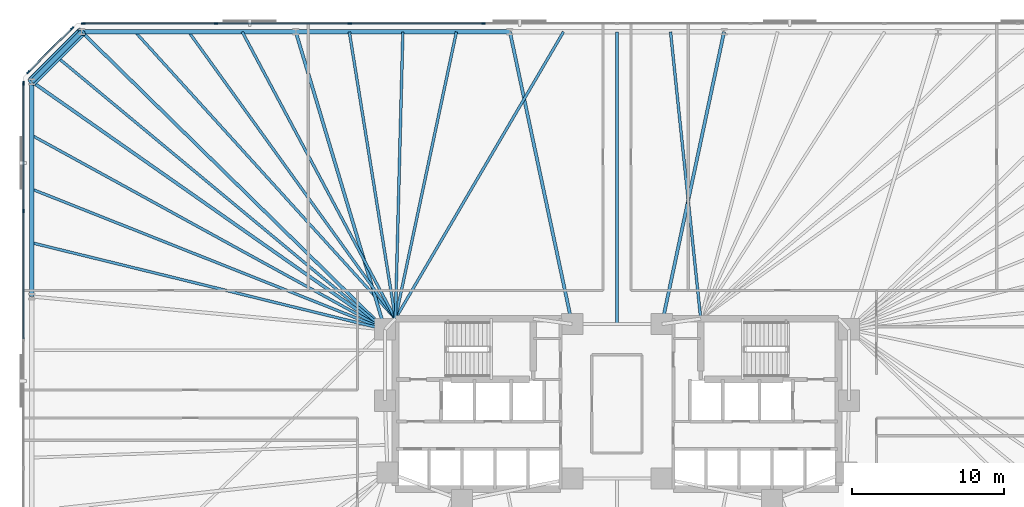
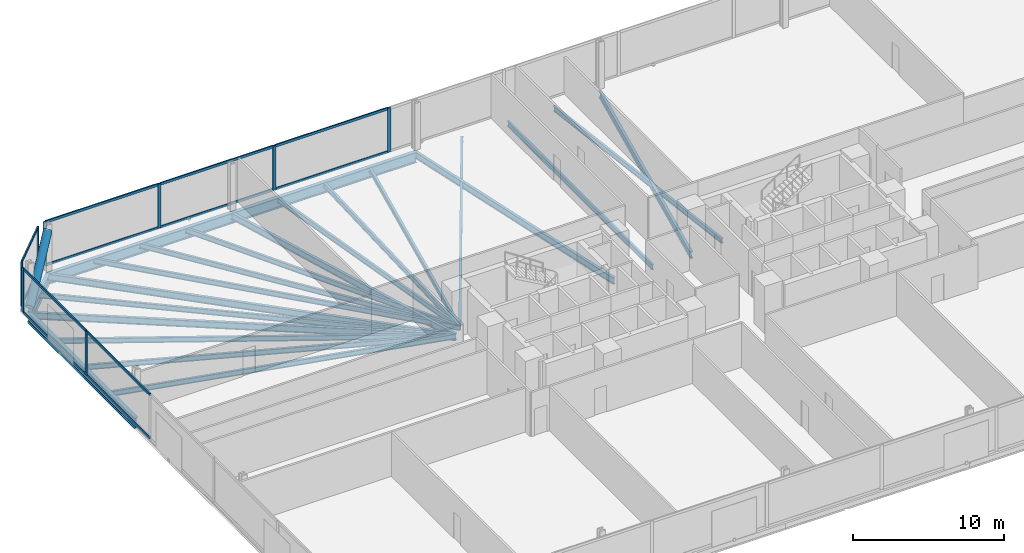
# One storey, part 8 of 17: 22 beams, 21 members, 3 elements without a shape of their own.
"""IFC4 building model written with IfcOpenShell, lengths in metres."""

from ifc_helpers import new_model, si_unit, direction, frame, origin, origin_2d, place, context, subcontext, project, spatial, rectangle, hollow_circle, i_section, extrude, material, material_profile, profile_set, type_object, element, aggregate, save


model = new_model("IFC4")

# Units and contexts
model_context = context("Model", 3, precision=1e-05, world=origin(), true_north=direction((0.0, 1.0)))
body_context = subcontext(model_context, "Body", "Model", "MODEL_VIEW")
ifc_project = project(units=[si_unit("LENGTHUNIT", "METRE"), si_unit("AREAUNIT", "SQUARE_METRE"), si_unit("VOLUMEUNIT", "CUBIC_METRE"), si_unit("PLANEANGLEUNIT", "RADIAN"), si_unit("MASSUNIT", "GRAM", prefix="KILO")], contexts=[model_context])

# Site, building, storey
site_placement = place(None, origin())
site = spatial("IfcSite", under=ifc_project, at=site_placement, CompositionType="ELEMENT")
building_placement = place(site_placement, origin())
building = spatial("IfcBuilding", under=site, at=building_placement, Name="Menara Jurai Vektor", CompositionType="ELEMENT")
storey_placement = place(building_placement, frame((0.0, 0.0, 29.39990234375)))
storey = spatial("IfcBuildingStorey", under=building, at=storey_placement, Name="L06", CompositionType="ELEMENT", Elevation=29.39990234375)

# Curtain wall, members
ifc_material_1 = material(Name="Anodised Pale Aluminium & Low-E Double Glazing", Category="aluminium")
curtain_wall_type = type_object("IfcCurtainWallType", Name="CW-BLK1", PredefinedType="NOTDEFINED", material=ifc_material_1)
curtain_wall_1_placement = place(storey_placement, origin())
curtain_wall_1 = element("IfcCurtainWall", 1, at=curtain_wall_1_placement, inside=storey, type_object=curtain_wall_type, Name="Unitised Curtain Wall L06 F05", PredefinedType="NOTDEFINED")
ifc_material_2 = material(Name="Anodised Pale Aluminium Mullion", Category="aluminium")
ifc_material_profile_1 = material_profile(ifc_material_2, rectangle(XDim=0.094970703125, YDim=0.239990234375, at=origin_2d()), Name="ALU MUL 95x240")
ifc_profile_set_1 = profile_set([ifc_material_profile_1], Name="Anodised Pale Aluminium Mullion")
member_type_1 = type_object("IfcMemberType", Name="CW-BLK1-MUL", PredefinedType="MULLION", material=ifc_profile_set_1)
member_1_placement = place(storey_placement, frame((-8.780029296875, 25.0, 0.0), z_axis=(0.0, 0.0, 1.0), x_axis=(0.0, -1.0, 0.0)))
member_1 = element("IfcMember", 2, at=member_1_placement, type_object=member_type_1, Name="CW-01 mullion 6", PredefinedType="MULLION", context=body_context, shape_type="SweptSolid", body=[
    extrude(rectangle(XDim=0.094970703125, YDim=0.239990234375, at=origin_2d()), origin(), (0.0, 0.0, 1.0), 3.5751953125),
])
member_2_placement = place(storey_placement, frame((-17.56005859375, 25.0, 0.0), z_axis=(0.0, 0.0, 1.0), x_axis=(0.0, -1.0, 0.0)))
member_2 = element("IfcMember", 3, at=member_2_placement, type_object=member_type_1, Name="CW-01 mullion 7", PredefinedType="MULLION", context=body_context, shape_type="SweptSolid", body=[
    extrude(rectangle(XDim=0.094970703125, YDim=0.239990234375, at=origin_2d()), origin(), (0.0, 0.0, 1.0), 3.5751953125),
])
member_3_placement = place(storey_placement, frame((-26.340087890625, 25.0, 0.0), z_axis=(0.0, 0.0, 1.0), x_axis=(0.0, -1.0, 0.0)))
member_3 = element("IfcMember", 4, at=member_3_placement, type_object=member_type_1, Name="CW-01 mullion 8", PredefinedType="MULLION", context=body_context, shape_type="SweptSolid", body=[
    extrude(rectangle(XDim=0.094970703125, YDim=0.239990234375, at=origin_2d()), origin(), (0.0, 0.0, 1.0), 3.5751953125),
])
member_4_placement = place(storey_placement, frame((-35.072509765625, 25.0, 0.0), z_axis=(0.0, 0.0, 1.0), x_axis=(0.0, -1.0, 0.0)))
member_4 = element("IfcMember", 5, at=member_4_placement, type_object=member_type_1, Name="CW-01 mullion 9", PredefinedType="MULLION", context=body_context, shape_type="SweptSolid", body=[
    extrude(rectangle(XDim=0.094970703125, YDim=0.239990234375, at=origin_2d()), origin(), (0.0, 0.0, 1.0), 3.5751953125),
])

curtain_wall_2_placement = place(storey_placement, origin())
curtain_wall_2 = element("IfcCurtainWall", 6, at=curtain_wall_2_placement, inside=storey, type_object=curtain_wall_type, Name="Unitised Curtain Wall L06 F06", PredefinedType="NOTDEFINED")
member_5_placement = place(storey_placement, frame((-35.80224609375, 24.69775390625, 0.0), z_axis=(0.0, 0.0, 1.0), x_axis=(0.707106781187, -0.707106781187, 0.0)))
member_5 = element("IfcMember", 7, at=member_5_placement, type_object=member_type_1, Name="CW-01 mullion 1", PredefinedType="MULLION", context=body_context, shape_type="SweptSolid", body=[
    extrude(rectangle(XDim=0.094970703125, YDim=0.239990234375, at=origin_2d()), origin(), (0.0, 0.0, 1.0), 3.5751953125),
])
member_6_placement = place(storey_placement, frame((-38.69775390625, 21.80224609375, 0.0), z_axis=(0.0, 0.0, 1.0), x_axis=(0.707106781187, -0.707106781187, 0.0)))
member_6 = element("IfcMember", 8, at=member_6_placement, type_object=member_type_1, Name="CW-01 mullion 2", PredefinedType="MULLION", context=body_context, shape_type="SweptSolid", body=[
    extrude(rectangle(XDim=0.094970703125, YDim=0.239990234375, at=origin_2d()), origin(), (0.0, 0.0, 1.0), 3.5751953125),
])

curtain_wall_3_placement = place(storey_placement, origin())
curtain_wall_3 = element("IfcCurtainWall", 9, at=curtain_wall_3_placement, inside=storey, type_object=curtain_wall_type, Name="Unitised Curtain Wall L06 F07", PredefinedType="NOTDEFINED")
member_7_placement = place(storey_placement, frame((-39.0, 21.072509765625, 0.0), z_axis=(0.0, 0.0, 1.0), x_axis=(1.0, 0.0, 0.0)))
member_7 = element("IfcMember", 10, at=member_7_placement, type_object=member_type_1, Name="CW-01 mullion 1", PredefinedType="MULLION", context=body_context, shape_type="SweptSolid", body=[
    extrude(rectangle(XDim=0.094970703125, YDim=0.239990234375, at=origin_2d()), origin(), (0.0, 0.0, 1.0), 3.5751953125),
])
member_8_placement = place(storey_placement, frame((-39.0, 12.672119140625, 0.0), z_axis=(0.0, 0.0, 1.0), x_axis=(1.0, 0.0, 0.0)))
member_8 = element("IfcMember", 11, at=member_8_placement, type_object=member_type_1, Name="CW-01 mullion 2", PredefinedType="MULLION", context=body_context, shape_type="SweptSolid", body=[
    extrude(rectangle(XDim=0.094970703125, YDim=0.239990234375, at=origin_2d()), origin(), (0.0, 0.0, 1.0), 3.5751953125),
])

# Member
ifc_material_3 = material(Name="Anodised Pale Aluminium Transom", Category="aluminium")
ifc_material_profile_2 = material_profile(ifc_material_3, rectangle(XDim=0.094970703125, YDim=0.199951171875, at=origin_2d()), Name="ALU TRN 95x200")
ifc_profile_set_2 = profile_set([ifc_material_profile_2], Name="Anodised Pale Aluminium Transom")
member_type_2 = type_object("IfcMemberType", Name="CW-BLK1-TRN", PredefinedType="USERDEFINED", material=ifc_profile_set_2)
member_9_placement = place(storey_placement, frame((-8.827392578125, 25.0, 0.047607421875), z_axis=(-1.0, 0.0, 0.0), x_axis=(0.0, -1.0, 0.0)))
member_9 = element("IfcMember", 12, at=member_9_placement, type_object=member_type_2, Name="CW-01 transom 6.1", ObjectType="TRANSOM", PredefinedType="USERDEFINED", context=body_context, shape_type="SweptSolid", body=[
    extrude(rectangle(XDim=0.094970703125, YDim=0.199951171875, at=origin_2d()), origin(), (0.0, 0.0, 1.0), 8.68505859375),
])

member_10_placement = place(storey_placement, frame((-8.827392578125, 25.0, 3.527587890625), z_axis=(-1.0, 0.0, 0.0), x_axis=(0.0, -1.0, 0.0)))
member_10 = element("IfcMember", 13, at=member_10_placement, type_object=member_type_2, Name="CW-01 transom 6.2", ObjectType="TRANSOM", PredefinedType="USERDEFINED", context=body_context, shape_type="SweptSolid", body=[
    extrude(rectangle(XDim=0.094970703125, YDim=0.199951171875, at=origin_2d()), origin(), (0.0, 0.0, 1.0), 8.68505859375),
])

member_11_placement = place(storey_placement, frame((-17.607421875, 25.0, 0.047607421875), z_axis=(-1.0, 0.0, 0.0), x_axis=(0.0, -1.0, 0.0)))
member_11 = element("IfcMember", 14, at=member_11_placement, type_object=member_type_2, Name="CW-01 transom 7.1", ObjectType="TRANSOM", PredefinedType="USERDEFINED", context=body_context, shape_type="SweptSolid", body=[
    extrude(rectangle(XDim=0.094970703125, YDim=0.199951171875, at=origin_2d()), origin(), (0.0, 0.0, 1.0), 8.68505859375),
])

member_12_placement = place(storey_placement, frame((-17.607421875, 25.0, 3.527587890625), z_axis=(-1.0, 0.0, 0.0), x_axis=(0.0, -1.0, 0.0)))
member_12 = element("IfcMember", 15, at=member_12_placement, type_object=member_type_2, Name="CW-01 transom 7.2", ObjectType="TRANSOM", PredefinedType="USERDEFINED", context=body_context, shape_type="SweptSolid", body=[
    extrude(rectangle(XDim=0.094970703125, YDim=0.199951171875, at=origin_2d()), origin(), (0.0, 0.0, 1.0), 8.68505859375),
])

member_13_placement = place(storey_placement, frame((-26.387451171875, 25.0, 0.047607421875), z_axis=(-1.0, 0.0, 0.0), x_axis=(0.0, -1.0, 0.0)))
member_13 = element("IfcMember", 16, at=member_13_placement, type_object=member_type_2, Name="CW-01 transom 8.1", ObjectType="TRANSOM", PredefinedType="USERDEFINED", context=body_context, shape_type="SweptSolid", body=[
    extrude(rectangle(XDim=0.094970703125, YDim=0.199951171875, at=origin_2d()), origin(), (0.0, 0.0, 1.0), 8.637451171875),
])

member_14_placement = place(storey_placement, frame((-26.387451171875, 25.0, 3.527587890625), z_axis=(-1.0, 0.0, 0.0), x_axis=(0.0, -1.0, 0.0)))
member_14 = element("IfcMember", 17, at=member_14_placement, type_object=member_type_2, Name="CW-01 transom 8.2", ObjectType="TRANSOM", PredefinedType="USERDEFINED", context=body_context, shape_type="SweptSolid", body=[
    extrude(rectangle(XDim=0.094970703125, YDim=0.199951171875, at=origin_2d()), origin(), (0.0, 0.0, 1.0), 8.637451171875),
])

aggregate(curtain_wall_1, [member_1, member_2, member_3, member_4, member_9, member_10, member_11, member_12, member_13, member_14])

member_15_placement = place(storey_placement, frame((-35.8359375, 24.6640625, 0.047607421875), z_axis=(-0.707106781187, -0.707106781187, 0.0), x_axis=(0.707106781187, -0.707106781187, 0.0)))
member_15 = element("IfcMember", 18, at=member_15_placement, type_object=member_type_2, Name="CW-01 transom 1.1", ObjectType="TRANSOM", PredefinedType="USERDEFINED", context=body_context, shape_type="SweptSolid", body=[
    extrude(rectangle(XDim=0.094970703125, YDim=0.199951171875, at=origin_2d()), origin(), (0.0, 0.0, 1.0), 3.99951171875),
])

member_16_placement = place(storey_placement, frame((-35.8359375, 24.6640625, 3.527587890625), z_axis=(-0.707106781187, -0.707106781187, 0.0), x_axis=(0.707106781187, -0.707106781187, 0.0)))
member_16 = element("IfcMember", 19, at=member_16_placement, type_object=member_type_2, Name="CW-01 transom 1.2", ObjectType="TRANSOM", PredefinedType="USERDEFINED", context=body_context, shape_type="SweptSolid", body=[
    extrude(rectangle(XDim=0.094970703125, YDim=0.199951171875, at=origin_2d()), origin(), (0.0, 0.0, 1.0), 3.99951171875),
])

aggregate(curtain_wall_2, [member_5, member_6, member_15, member_16])

member_17_placement = place(storey_placement, frame((-39.0, 21.02490234375, 0.047607421875), z_axis=(0.0, -1.0, 0.0), x_axis=(1.0, 0.0, 0.0)))
member_17 = element("IfcMember", 20, at=member_17_placement, type_object=member_type_2, Name="CW-01 transom 1.1", ObjectType="TRANSOM", PredefinedType="USERDEFINED", context=body_context, shape_type="SweptSolid", body=[
    extrude(rectangle(XDim=0.094970703125, YDim=0.199951171875, at=origin_2d()), origin(), (0.0, 0.0, 1.0), 8.305419921875),
])

member_18_placement = place(storey_placement, frame((-39.0, 21.02490234375, 3.527587890625), z_axis=(0.0, -1.0, 0.0), x_axis=(1.0, 0.0, 0.0)))
member_18 = element("IfcMember", 21, at=member_18_placement, type_object=member_type_2, Name="CW-01 transom 1.2", ObjectType="TRANSOM", PredefinedType="USERDEFINED", context=body_context, shape_type="SweptSolid", body=[
    extrude(rectangle(XDim=0.094970703125, YDim=0.199951171875, at=origin_2d()), origin(), (0.0, 0.0, 1.0), 8.305419921875),
])

member_19_placement = place(storey_placement, frame((-39.0, 12.62451171875, 0.047607421875), z_axis=(0.0, -1.0, 0.0), x_axis=(1.0, 0.0, 0.0)))
member_19 = element("IfcMember", 22, at=member_19_placement, type_object=member_type_2, Name="CW-01 transom 2.1", ObjectType="TRANSOM", PredefinedType="USERDEFINED", context=body_context, shape_type="SweptSolid", body=[
    extrude(rectangle(XDim=0.094970703125, YDim=0.199951171875, at=origin_2d()), origin(), (0.0, 0.0, 1.0), 8.35302734375),
])

member_20_placement = place(storey_placement, frame((-39.0, 12.62451171875, 3.527587890625), z_axis=(0.0, -1.0, 0.0), x_axis=(1.0, 0.0, 0.0)))
member_20 = element("IfcMember", 23, at=member_20_placement, type_object=member_type_2, Name="CW-01 transom 2.2", ObjectType="TRANSOM", PredefinedType="USERDEFINED", context=body_context, shape_type="SweptSolid", body=[
    extrude(rectangle(XDim=0.094970703125, YDim=0.199951171875, at=origin_2d()), origin(), (0.0, 0.0, 1.0), 8.35302734375),
])

aggregate(curtain_wall_3, [member_7, member_8, member_17, member_18, member_19, member_20])

# Beams
ifc_material_4 = material(Name="Steel S355", Category="steel")
ifc_material_profile_3 = material_profile(ifc_material_4, i_section(OverallWidth=0.2109375, OverallDepth=0.5390625, WebThickness=0.011962890625, FlangeThickness=0.01904296875, FilletRadius=0.012939453125, at=origin_2d()), Name="UKB 533x210x109")
ifc_profile_set_3 = profile_set([ifc_material_profile_3], Name="Steel S355")
beam_type_1 = type_object("IfcBeamType", Name="STR-BM-533", PredefinedType="BEAM", material=ifc_profile_set_3)
for number, where, z_axis, x_axis, name in (
    (24, (7.03564453125, 24.449951171875, -0.494384765625), (-0.2081367579, -0.978099734184, 0.0), (0.978099734184, -0.2081367579, 0.0), "Radial Floor Girder L06-N3"),
    (25, (-7.03564453125, 24.449951171875, -0.494384765625), (0.2081367579, -0.978099734184, 0.0), (0.978099734184, 0.2081367579, 0.0), "Radial Floor Girder L06-N4"),
):
    element("IfcBeam", number, at=place(storey_placement, frame(where, z_axis=z_axis, x_axis=x_axis)), inside=storey, type_object=beam_type_1, Name=name, PredefinedType="BEAM", context=body_context, shape_type="SweptSolid", body=[
        extrude(i_section(OverallWidth=0.2109375, OverallDepth=0.5390625, WebThickness=0.011962890625, FlangeThickness=0.01904296875, FilletRadius=0.012939453125, at=origin_2d()), origin(), (0.0, 0.0, 1.0), 19.6298828125),
    ])
beam_1_placement = place(storey_placement, frame((-21.106689453125, 24.449951171875, -0.494384765625), z_axis=(0.286973617166, -0.957938486047, 0.0), x_axis=(0.957938486047, 0.286973617166, 0.0)))
element("IfcBeam", 26, at=beam_1_placement, inside=storey, type_object=beam_type_1, Name="Radial Floor Girder L06-N5", PredefinedType="BEAM", context=body_context, shape_type="SweptSolid", body=[
    extrude(i_section(OverallWidth=0.2109375, OverallDepth=0.5390625, WebThickness=0.011962890625, FlangeThickness=0.01904296875, FilletRadius=0.012939453125, at=origin_2d()), origin(), (0.0, 0.0, 1.0), 20.408447265625),
])
beam_2_placement = place(storey_placement, frame((-35.177734375, 24.449951171875, -0.494384765625), z_axis=(0.713839032855, -0.700309813706, 0.0), x_axis=(0.700309813706, 0.713839032855, 0.0)))
element("IfcBeam", 27, at=beam_2_placement, inside=storey, type_object=beam_type_1, Name="Radial Floor Girder L06-N6", PredefinedType="BEAM", context=body_context, shape_type="SweptSolid", body=[
    extrude(i_section(OverallWidth=0.2109375, OverallDepth=0.5390625, WebThickness=0.011962890625, FlangeThickness=0.01904296875, FilletRadius=0.012939453125, at=origin_2d()), origin(), (0.0, 0.0, 1.0), 27.916259765625),
])
beam_3_placement = place(storey_placement, frame((-38.449951171875, 21.177734375, -0.494384765625), z_axis=(0.818603732445, -0.574358711283, 0.0), x_axis=(0.574358711283, 0.818603732445, 0.0)))
element("IfcBeam", 28, at=beam_3_placement, inside=storey, type_object=beam_type_1, Name="Radial Floor Girder L06-W1", PredefinedType="BEAM", context=body_context, shape_type="SweptSolid", body=[
    extrude(i_section(OverallWidth=0.2109375, OverallDepth=0.5390625, WebThickness=0.011962890625, FlangeThickness=0.01904296875, FilletRadius=0.012939453125, at=origin_2d()), origin(), (0.0, 0.0, 1.0), 28.3408203125),
])

# Member
ifc_material_5 = material(Name="Steel S460", Category="steel")
ifc_material_profile_4 = material_profile(ifc_material_5, hollow_circle(Radius=0.304931640625, WallThickness=0.02490234375, at=origin_2d()), Name="CHS 610x25")
ifc_profile_set_4 = profile_set([ifc_material_profile_4], Name="Steel S460")
member_type_3 = type_object("IfcMemberType", Name="STR-BR-610", PredefinedType="BRACE", material=ifc_profile_set_4)
member_21_placement = place(storey_placement, frame((-38.449951171875, 21.177734375, 0.150146484375), z_axis=(0.588942422958, 0.588942422958, 0.553438022619), x_axis=(-0.707106781187, 0.707106781187, 0.0)))
element("IfcMember", 29, at=member_21_placement, inside=storey, type_object=member_type_3, Name="Exoskeleton Corner Brace L06-3", PredefinedType="BRACE", context=body_context, shape_type="SweptSolid", body=[
    extrude(hollow_circle(Radius=0.304931640625, WallThickness=0.02490234375, at=origin_2d()), origin(), (0.0, 0.0, 1.0), 5.55615234375),
])

# Beams
ifc_material_profile_5 = material_profile(ifc_material_4, i_section(OverallWidth=0.178955078125, OverallDepth=0.408935546875, WebThickness=0.009033203125, FlangeThickness=0.013916015625, FilletRadius=0.010009765625, at=origin_2d()), Name="UKB 406x178x67")
ifc_profile_set_5 = profile_set([ifc_material_profile_5], Name="Steel S355")
beam_type_2 = type_object("IfcBeamType", Name="STR-JS-406", PredefinedType="JOIST", material=ifc_profile_set_5)
beam_4_placement = place(storey_placement, frame((3.517822265625, 24.449951171875, -0.429443359375), z_axis=(0.104579513969, -0.994516528399, 0.0), x_axis=(0.994516528399, 0.104579513969, 0.0)))
element("IfcBeam", 30, at=beam_4_placement, inside=storey, type_object=beam_type_2, Name="Radial Secondary Floor Joist L06-JS22", PredefinedType="JOIST", context=body_context, shape_type="SweptSolid", body=[
    extrude(i_section(OverallWidth=0.178955078125, OverallDepth=0.408935546875, WebThickness=0.009033203125, FlangeThickness=0.013916015625, FilletRadius=0.010009765625, at=origin_2d()), origin(), (0.0, 0.0, 1.0), 18.953857421875),
])
beam_5_placement = place(storey_placement, frame((0.0, 24.449951171875, -0.429443359375), z_axis=(0.0, -1.0, 0.0), x_axis=(1.0, 0.0, 0.0)))
element("IfcBeam", 31, at=beam_5_placement, inside=storey, type_object=beam_type_2, Name="Radial Secondary Floor Joist L06-JS23", PredefinedType="JOIST", context=body_context, shape_type="SweptSolid", body=[
    extrude(i_section(OverallWidth=0.178955078125, OverallDepth=0.408935546875, WebThickness=0.009033203125, FlangeThickness=0.013916015625, FilletRadius=0.010009765625, at=origin_2d()), origin(), (0.0, 0.0, 1.0), 19.199951171875),
])
beam_6_placement = place(storey_placement, frame((-3.517822265625, 24.449951171875, -0.429443359375), z_axis=(-0.505457909797, -0.862851262631, 0.0), x_axis=(0.862851262631, -0.505457909797, 0.0)))
element("IfcBeam", 32, at=beam_6_placement, inside=storey, type_object=beam_type_2, Name="Radial Secondary Floor Joist L06-JS24", PredefinedType="JOIST", context=body_context, shape_type="SweptSolid", body=[
    extrude(i_section(OverallWidth=0.178955078125, OverallDepth=0.408935546875, WebThickness=0.009033203125, FlangeThickness=0.013916015625, FilletRadius=0.010009765625, at=origin_2d()), origin(), (0.0, 0.0, 1.0), 21.845947265625),
])
beam_7_placement = place(storey_placement, frame((-10.55322265625, 24.449951171875, -0.429443359375), z_axis=(-0.207920423262, -0.978145744555, 0.0), x_axis=(0.978145744555, -0.207920423262, 0.0)))
element("IfcBeam", 33, at=beam_7_placement, inside=storey, type_object=beam_type_2, Name="Radial Secondary Floor Joist L06-JS25", PredefinedType="JOIST", context=body_context, shape_type="SweptSolid", body=[
    extrude(i_section(OverallWidth=0.178955078125, OverallDepth=0.408935546875, WebThickness=0.009033203125, FlangeThickness=0.013916015625, FilletRadius=0.010009765625, at=origin_2d()), origin(), (0.0, 0.0, 1.0), 19.27099609375),
])
beam_8_placement = place(storey_placement, frame((-14.071044921875, 24.449951171875, -0.429443359375), z_axis=(-0.02593384597, -0.999663661255, 0.0), x_axis=(0.999663661255, -0.02593384597, 0.0)))
element("IfcBeam", 34, at=beam_8_placement, inside=storey, type_object=beam_type_2, Name="Radial Secondary Floor Joist L06-JS26", PredefinedType="JOIST", context=body_context, shape_type="SweptSolid", body=[
    extrude(i_section(OverallWidth=0.178955078125, OverallDepth=0.408935546875, WebThickness=0.009033203125, FlangeThickness=0.013916015625, FilletRadius=0.010009765625, at=origin_2d()), origin(), (0.0, 0.0, 1.0), 18.856201171875),
])
beam_9_placement = place(storey_placement, frame((-17.5888671875, 24.449951171875, -0.429443359375), z_axis=(0.158645817656, -0.987335558227, 0.0), x_axis=(0.987335558227, 0.158645817656, 0.0)))
element("IfcBeam", 35, at=beam_9_placement, inside=storey, type_object=beam_type_2, Name="Radial Secondary Floor Joist L06-JS27", PredefinedType="JOIST", context=body_context, shape_type="SweptSolid", body=[
    extrude(i_section(OverallWidth=0.178955078125, OverallDepth=0.408935546875, WebThickness=0.009033203125, FlangeThickness=0.013916015625, FilletRadius=0.010009765625, at=origin_2d()), origin(), (0.0, 0.0, 1.0), 19.091552734375),
])
beam_10_placement = place(storey_placement, frame((-24.62451171875, 24.449951171875, -0.429443359375), z_axis=(0.470996174599, -0.882135252392, 0.0), x_axis=(0.882135252392, 0.470996174599, 0.0)))
element("IfcBeam", 36, at=beam_10_placement, inside=storey, type_object=beam_type_2, Name="Radial Secondary Floor Joist L06-JS28", PredefinedType="JOIST", context=body_context, shape_type="SweptSolid", body=[
    extrude(i_section(OverallWidth=0.178955078125, OverallDepth=0.408935546875, WebThickness=0.009033203125, FlangeThickness=0.013916015625, FilletRadius=0.010009765625, at=origin_2d()), origin(), (0.0, 0.0, 1.0), 21.368408203125),
])
beam_11_placement = place(storey_placement, frame((-28.142333984375, 24.449951171875, -0.429443359375), z_axis=(0.584598948369, -0.811322420229, 0.0), x_axis=(0.811322420229, 0.584598948369, 0.0)))
element("IfcBeam", 37, at=beam_11_placement, inside=storey, type_object=beam_type_2, Name="Radial Secondary Floor Joist L06-JS29", PredefinedType="JOIST", context=body_context, shape_type="SweptSolid", body=[
    extrude(i_section(OverallWidth=0.178955078125, OverallDepth=0.408935546875, WebThickness=0.009033203125, FlangeThickness=0.013916015625, FilletRadius=0.010009765625, at=origin_2d()), origin(), (0.0, 0.0, 1.0), 23.2333984375),
])
beam_12_placement = place(storey_placement, frame((-31.659912109375, 24.449951171875, -0.429443359375), z_axis=(0.671889844346, -0.740651089964, 0.0), x_axis=(0.740651089964, 0.671889844346, 0.0)))
element("IfcBeam", 38, at=beam_12_placement, inside=storey, type_object=beam_type_2, Name="Radial Secondary Floor Joist L06-JS30", PredefinedType="JOIST", context=body_context, shape_type="SweptSolid", body=[
    extrude(i_section(OverallWidth=0.178955078125, OverallDepth=0.408935546875, WebThickness=0.009033203125, FlangeThickness=0.013916015625, FilletRadius=0.010009765625, at=origin_2d()), origin(), (0.0, 0.0, 1.0), 25.450439453125),
])
beam_13_placement = place(storey_placement, frame((-36.81396484375, 22.81396484375, -0.429443359375), z_axis=(0.769201173096, -0.639006694259, 0.0), x_axis=(0.639006694259, 0.769201173096, 0.0)))
element("IfcBeam", 39, at=beam_13_placement, inside=storey, type_object=beam_type_2, Name="Radial Secondary Floor Joist L06-JS31", PredefinedType="JOIST", context=body_context, shape_type="SweptSolid", body=[
    extrude(i_section(OverallWidth=0.178955078125, OverallDepth=0.408935546875, WebThickness=0.009033203125, FlangeThickness=0.013916015625, FilletRadius=0.010009765625, at=origin_2d()), origin(), (0.0, 0.0, 1.0), 28.0341796875),
])
beam_14_placement = place(storey_placement, frame((-38.449951171875, 17.648193359375, -0.429443359375), z_axis=(0.87640219057, -0.481579900291, 0.0), x_axis=(0.481579900291, 0.87640219057, 0.0)))
element("IfcBeam", 40, at=beam_14_placement, inside=storey, type_object=beam_type_2, Name="Radial Secondary Floor Joist L06-JS32", PredefinedType="JOIST", context=body_context, shape_type="SweptSolid", body=[
    extrude(i_section(OverallWidth=0.178955078125, OverallDepth=0.408935546875, WebThickness=0.009033203125, FlangeThickness=0.013916015625, FilletRadius=0.010009765625, at=origin_2d()), origin(), (0.0, 0.0, 1.0), 26.471923828125),
])
beam_15_placement = place(storey_placement, frame((-38.449951171875, 14.118408203125, -0.429443359375), z_axis=(0.929323400723, -0.369266864027, 0.0), x_axis=(0.369266864027, 0.929323400723, 0.0)))
element("IfcBeam", 41, at=beam_15_placement, inside=storey, type_object=beam_type_2, Name="Radial Secondary Floor Joist L06-JS33", PredefinedType="JOIST", context=body_context, shape_type="SweptSolid", body=[
    extrude(i_section(OverallWidth=0.178955078125, OverallDepth=0.408935546875, WebThickness=0.009033203125, FlangeThickness=0.013916015625, FilletRadius=0.010009765625, at=origin_2d()), origin(), (0.0, 0.0, 1.0), 24.96435546875),
])
beam_16_placement = place(storey_placement, frame((-38.449951171875, 10.5888671875, -0.429443359375), z_axis=(0.971226234641, -0.238158772976, 0.0), x_axis=(0.238158772976, 0.971226234641, 0.0)))
element("IfcBeam", 42, at=beam_16_placement, inside=storey, type_object=beam_type_2, Name="Radial Secondary Floor Joist L06-JS34", PredefinedType="JOIST", context=body_context, shape_type="SweptSolid", body=[
    extrude(i_section(OverallWidth=0.178955078125, OverallDepth=0.408935546875, WebThickness=0.009033203125, FlangeThickness=0.013916015625, FilletRadius=0.010009765625, at=origin_2d()), origin(), (0.0, 0.0, 1.0), 23.88720703125),
])
ifc_material_profile_6 = material_profile(ifc_material_5, i_section(OverallWidth=0.2939453125, OverallDepth=0.85107421875, WebThickness=0.01611328125, FlangeThickness=0.027099609375, FilletRadius=0.01806640625, at=origin_2d()), Name="UKB 838x292x226")
ifc_profile_set_6 = profile_set([ifc_material_profile_6], Name="Steel S460")
beam_type_3 = type_object("IfcBeamType", Name="STR-SP-838", PredefinedType="SPANDREL", material=ifc_profile_set_6)
for number, where, z_axis, x_axis, name in (
    (43, (-7.03564453125, 24.449951171875, -0.650390625), (-1.0, 0.0, 0.0), (0.0, -1.0, 0.0), "Exoskeleton Spandrel Beam L06-14"),
    (44, (-21.106689453125, 24.449951171875, -0.650390625), (-1.0, 0.0, 0.0), (0.0, -1.0, 0.0), "Exoskeleton Spandrel Beam L06-15"),
):
    element("IfcBeam", number, at=place(storey_placement, frame(where, z_axis=z_axis, x_axis=x_axis)), inside=storey, type_object=beam_type_3, Name=name, PredefinedType="SPANDREL", context=body_context, shape_type="SweptSolid", body=[
        extrude(i_section(OverallWidth=0.2939453125, OverallDepth=0.85107421875, WebThickness=0.01611328125, FlangeThickness=0.027099609375, FilletRadius=0.01806640625, at=origin_2d()), origin(), (0.0, 0.0, 1.0), 14.071044921875),
    ])
beam_17_placement = place(storey_placement, frame((-35.177734375, 24.449951171875, -0.650390625), z_axis=(-0.707106781187, -0.707106781187, 0.0), x_axis=(0.707106781187, -0.707106781187, 0.0)))
element("IfcBeam", 45, at=beam_17_placement, inside=storey, type_object=beam_type_3, Name="Exoskeleton Spandrel Beam L06-16", PredefinedType="SPANDREL", context=body_context, shape_type="SweptSolid", body=[
    extrude(i_section(OverallWidth=0.2939453125, OverallDepth=0.85107421875, WebThickness=0.01611328125, FlangeThickness=0.027099609375, FilletRadius=0.01806640625, at=origin_2d()), origin(), (0.0, 0.0, 1.0), 4.627685546875),
])
beam_18_placement = place(storey_placement, frame((-38.449951171875, 21.177734375, -0.650390625), z_axis=(0.0, -1.0, 0.0), x_axis=(1.0, 0.0, 0.0)))
element("IfcBeam", 46, at=beam_18_placement, inside=storey, type_object=beam_type_3, Name="Exoskeleton Spandrel Beam L06-17", PredefinedType="SPANDREL", context=body_context, shape_type="SweptSolid", body=[
    extrude(i_section(OverallWidth=0.2939453125, OverallDepth=0.85107421875, WebThickness=0.01611328125, FlangeThickness=0.027099609375, FilletRadius=0.01806640625, at=origin_2d()), origin(), (0.0, 0.0, 1.0), 14.118408203125),
])

save(model, "model.ifc")
